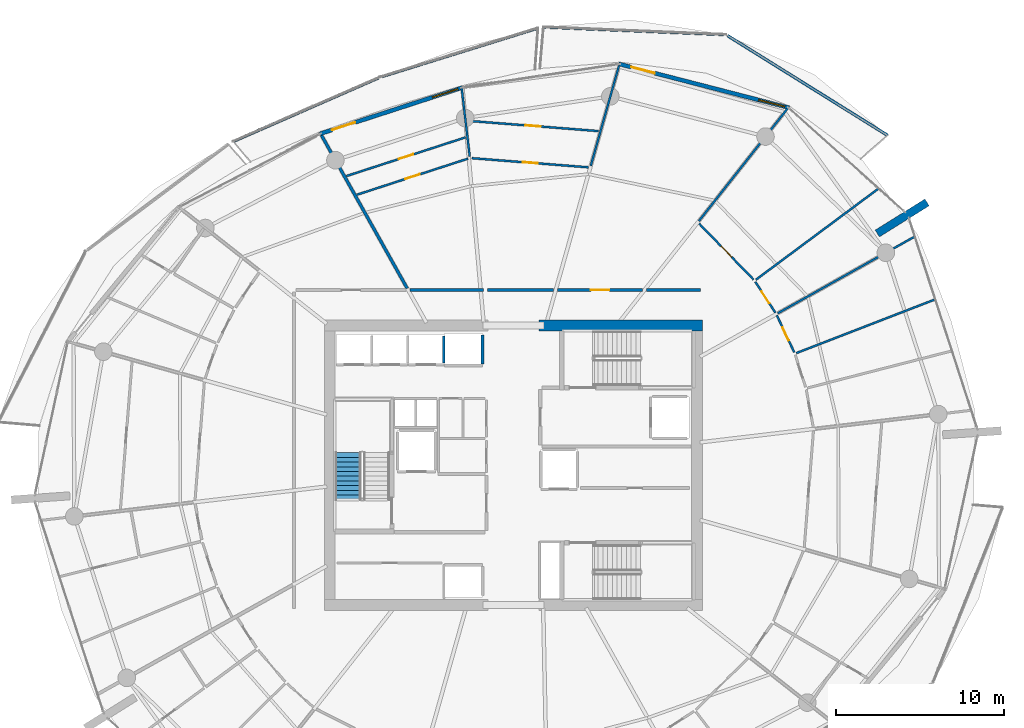
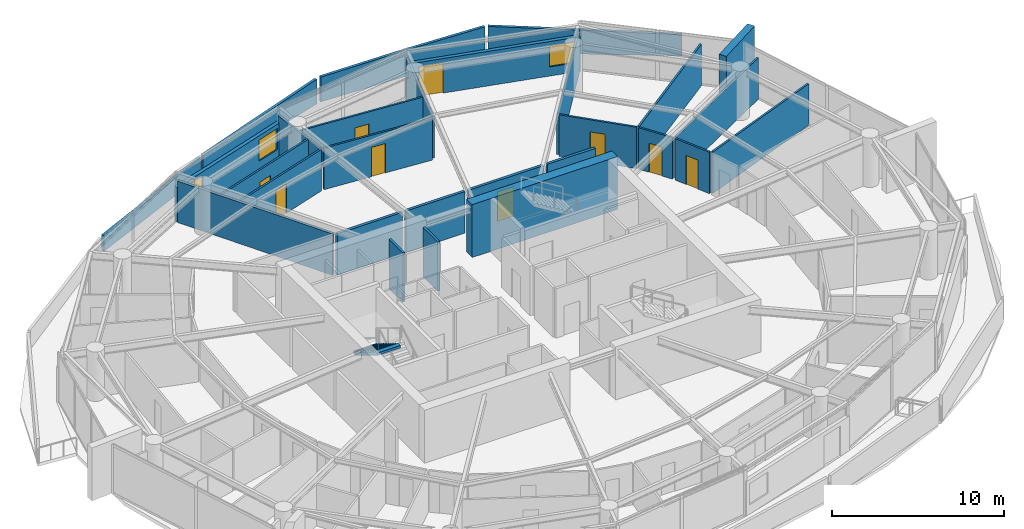
# One storey, part 15 of 21: 28 walls, 10 doors, 2 windows, 1 stair flight, 12 openings, 1 element without a shape of its own.
"""IFC4 building model written with IfcOpenShell, lengths in metres."""

from ifc_helpers import new_model, si_unit, direction, frame, frame_2d, origin, place, context, subcontext, project, spatial, polyline, rectangle, outline, extrude, material, layer, layer_set, type_object, element, fill, aggregate, save


model = new_model("IFC4")

# Units and contexts
model_context = context("Model", 3, precision=1e-05, world=origin(), true_north=direction((0.0, 1.0)))
body_context = subcontext(model_context, "Body", "Model", "MODEL_VIEW")
ifc_project = project(units=[si_unit("LENGTHUNIT", "METRE"), si_unit("AREAUNIT", "SQUARE_METRE"), si_unit("VOLUMEUNIT", "CUBIC_METRE"), si_unit("PLANEANGLEUNIT", "RADIAN"), si_unit("MASSUNIT", "GRAM", prefix="KILO")], contexts=[model_context])

# Site, building, storey
site_placement = place(None, origin())
site = spatial("IfcSite", under=ifc_project, at=site_placement, CompositionType="ELEMENT")
building_placement = place(site_placement, origin())
building = spatial("IfcBuilding", under=site, at=building_placement, Name="Kazma Halo Residences", CompositionType="ELEMENT")
storey_placement = place(building_placement, frame((0.0, 0.0, 191.550048828125)))
storey = spatial("IfcBuildingStorey", under=building, at=storey_placement, Name="L48", CompositionType="ELEMENT", Elevation=191.550048828125)

# Walls
ifc_material_1 = material(Name="White Concrete C50/60 Balustrade", Category="concrete")
ifc_layer_1 = layer(ifc_material_1, 0.179931640625)
ifc_layer_set_1 = layer_set([ifc_layer_1], Name="White Concrete C50/60 Balustrade")
wall_type_1 = type_object("IfcWallType", Name="WL-BAL-WAVE-180", PredefinedType="PARAPET", material=ifc_layer_set_1)
wall_1_placement = place(storey_placement, frame((70.740234375, 61.66357421875, 0.0), z_axis=(0.0, 0.0, 1.0), x_axis=(-0.84875531388, 0.528785795158, 0.0)))
element("IfcWall", 1, at=wall_1_placement, inside=storey, type_object=wall_type_1, Name="L48 white wave balustrade wall NE.1", PredefinedType="PARAPET", context=body_context, shape_type="SweptSolid", body=[
    extrude(outline(polyline([(0.0, 0.0), (11.2568359375, 0.0), (11.256591796875, 1.83203125), (5.62841796875, 1.696044921875), (0.0, 1.4970703125), (0.0, 0.0)])), frame((0.0, 0.08984375, 0.0), z_axis=(0.0, -1.0, 0.0), x_axis=(1.0, 0.0, 0.0)), (0.0, 0.0, 1.0), 0.179931640625),
])
wall_2_placement = place(storey_placement, frame((60.96435546875, 67.684326171875, 0.0), z_axis=(0.0, 0.0, 1.0), x_axis=(-0.999138885182, 0.041490819675, 0.0)))
element("IfcWall", 2, at=wall_2_placement, inside=storey, type_object=wall_type_1, Name="L48 white wave balustrade wall NE.2", PredefinedType="PARAPET", context=body_context, shape_type="SweptSolid", body=[
    extrude(outline(polyline([(0.0, 0.0), (10.75634765625, 0.0), (10.756591796875, 1.755859375), (5.37841796875, 1.85302734375), (0.0, 1.83203125), (0.0, 0.0)])), frame((0.0, 0.08984375, 0.0), z_axis=(0.0, -1.0, 0.0), x_axis=(1.0, 0.0, 0.0)), (0.0, 0.0, 1.0), 0.179931640625),
])
wall_3_placement = place(storey_placement, frame((49.8916015625, 68.071044921875, 0.0), z_axis=(0.0, 0.0, 1.0), x_axis=(-0.954909554677, -0.296896854793, 0.0)))
element("IfcWall", 3, at=wall_3_placement, inside=storey, type_object=wall_type_1, Name="L48 white wave balustrade wall NNW.1", PredefinedType="PARAPET", context=body_context, shape_type="SweptSolid", body=[
    extrude(outline(polyline([(0.0, 0.0), (9.736083984375, 0.0), (9.736328125, 1.347900390625), (4.8681640625, 1.56201171875), (0.0, 1.7470703125), (0.0, 0.0)])), frame((0.0, 0.08984375, 0.0), z_axis=(0.0, -1.0, 0.0), x_axis=(1.0, 0.0, 0.0)), (0.0, 0.0, 1.0), 0.179931640625),
])
wall_4_placement = place(storey_placement, frame((40.369873046875, 65.0966796875, 0.0), z_axis=(0.0, 0.0, 1.0), x_axis=(-0.916057097562, -0.401047869968, 0.0)))
element("IfcWall", 4, at=wall_4_placement, inside=storey, type_object=wall_type_1, Name="L48 white wave balustrade wall NNW.2", PredefinedType="PARAPET", context=body_context, shape_type="SweptSolid", body=[
    extrude(outline(polyline([(0.0, 0.0), (9.44970703125, 0.0), (9.44970703125, 1.119873046875), (4.724853515625, 1.181884765625), (0.0, 1.347900390625), (0.0, 0.0)])), frame((0.0, 0.08984375, 0.0), z_axis=(0.0, -1.0, 0.0), x_axis=(1.0, 0.0, 0.0)), (0.0, 0.0, 1.0), 0.179931640625),
])
ifc_material_2 = material(Name="Pale Concrete C60/75", Category="concrete")
ifc_layer_2 = layer(ifc_material_2, 0.47998046875)
ifc_layer_set_2 = layer_set([ifc_layer_2], Name="Pale Concrete C60/75")
wall_type_2 = type_object("IfcWallType", Name="WL-BLADE-480", PredefinedType="SOLIDWALL", material=ifc_layer_set_2)
wall_5_placement = place(storey_placement, frame((70.11376953125, 55.818115234375, 0.0), z_axis=(0.0, 0.0, 1.0), x_axis=(0.848033572426, 0.529942506352, 0.0)))
element("IfcWall", 5, at=wall_5_placement, inside=storey, type_object=wall_type_2, Name="L48 pale concrete structural blade fin wall BW-01", PredefinedType="SOLIDWALL", context=body_context, shape_type="SweptSolid", body=[
    extrude(rectangle(XDim=3.5, YDim=0.47998046875, at=frame_2d((1.75, 0.0))), origin(), (0.0, 0.0, 1.0), 3.75),
])
ifc_material_3 = material(Name="Concrete C60/75", Category="concrete")
ifc_layer_3 = layer(ifc_material_3, 0.64990234375)
ifc_layer_set_3 = layer_set([ifc_layer_3], Name="Concrete C60/75")
wall_type_3 = type_object("IfcWallType", Name="WL-CORE-650", PredefinedType="SHEAR", material=ifc_layer_set_3)
wall_6_placement = place(storey_placement, frame((49.949951171875, 50.324951171875, 0.0), z_axis=(0.0, 0.0, 1.0), x_axis=(1.0, 0.0, 0.0)))
element("IfcWall", 6, at=wall_6_placement, inside=storey, type_object=wall_type_3, Name="L48 central core shear wall NE", PredefinedType="SHEAR", context=body_context, shape_type="SweptSolid", body=[
    extrude(rectangle(XDim=9.75, YDim=0.64990234375, at=frame_2d((4.875, 0.0))), origin(), (0.0, 0.0, 1.0), 3.75),
])
ifc_material_4 = material(Name="Acoustic Twin-Stud Gypsum")
ifc_layer_4 = layer(ifc_material_4, 0.179931640625)
ifc_layer_set_4 = layer_set([ifc_layer_4], Name="Acoustic Twin-Stud Gypsum")
wall_type_4 = type_object("IfcWallType", Name="WL-DEM-180", PredefinedType="PARTITIONING", material=ifc_layer_set_4)
wall_7_placement = place(storey_placement, frame((42.093994140625, 52.5458984375, 0.0), z_axis=(0.0, 0.0, 1.0), x_axis=(-0.488614041717, 0.872500039104, 0.0)))
element("IfcWall", 7, at=wall_7_placement, inside=storey, type_object=wall_type_4, Name="L48 apartment demising radial wall 04", PredefinedType="PARTITIONING", context=body_context, shape_type="SweptSolid", body=[
    extrude(rectangle(XDim=10.448486328125, YDim=0.179931640625, at=frame_2d((5.22412109375, 0.0))), origin(), (0.0, 0.0, 1.0), 2.93994140625),
])

# Wall, opening, door
wall_8_placement = place(storey_placement, frame((56.1181640625, 52.449951171875, 0.0), z_axis=(0.0, 0.0, 1.0), x_axis=(-1.0, 0.0, 0.0)))
wall_8 = element("IfcWall", 8, at=wall_8_placement, inside=storey, type_object=wall_type_4, Name="L48 Apartment 2 entrance corridor wall", PredefinedType="PARTITIONING", context=body_context, shape_type="SweptSolid", body=[
    extrude(rectangle(XDim=5.051025390625, YDim=0.179931640625, at=frame_2d((2.525390625, 0.0))), origin(), (0.0, 0.0, 1.0), 2.93994140625),
])
opening_1_placement = place(wall_8_placement, frame((1.975341796875, 0.0, 0.0)))
opening_1 = element("IfcOpeningElement", 9, at=opening_1_placement, cuts=wall_8, Name="Opening DA-1100", PredefinedType="OPENING", context=body_context, shape_type="SweptSolid", body=[
    extrude(rectangle(XDim=1.10009765625, YDim=2.10009765625, at=frame_2d((0.550048828125, 1.050048828125))), frame((0.0, 0.099853515625, 0.0), z_axis=(0.0, -1.0, 0.0), x_axis=(1.0, 0.0, 0.0)), (0.0, 0.0, 1.0), 0.199951171875),
])
ifc_material_5 = material(Name="Acoustic Walnut Fire Leaf")
door_type_1 = type_object("IfcDoorType", Name="DR-FD60-1100", OperationType="NOTDEFINED", PredefinedType="DOOR", material=ifc_material_5)
door_1_placement = place(opening_1_placement, origin())
door_1 = element("IfcDoor", 10, at=door_1_placement, inside=storey, type_object=door_type_1, Name="L48 Apartment 2 entrance fire door", OperationType="SINGLE_SWING_LEFT", OverallHeight=2.10009765625, OverallWidth=1.10009765625, PredefinedType="DOOR", context=body_context, shape_type="SweptSolid", body=[
    extrude(rectangle(XDim=1.10009765625, YDim=2.10009765625, at=frame_2d((0.550048828125, 1.050048828125))), frame((0.0, 0.02490234375, 0.0), z_axis=(0.0, -1.0, 0.0), x_axis=(1.0, 0.0, 0.0)), (0.0, 0.0, 1.0), 0.050048828125),
])
fill(opening_1, door_1)

# Walls
wall_9_placement = place(storey_placement, frame((59.580078125, 52.449951171875, 0.0), z_axis=(0.0, 0.0, 1.0), x_axis=(-1.0, 0.0, 0.0)))
element("IfcWall", 11, at=wall_9_placement, inside=storey, type_object=wall_type_4, Name="L48 Apartment 2 inner wall 0", PredefinedType="PARTITIONING", context=body_context, shape_type="SweptSolid", body=[
    extrude(rectangle(XDim=3.221923828125, YDim=0.179931640625, at=frame_2d((1.61083984375, 0.0))), origin(), (0.0, 0.0, 1.0), 2.93994140625),
])
wall_10_placement = place(storey_placement, frame((50.8271484375, 52.449951171875, 0.0), z_axis=(0.0, 0.0, 1.0), x_axis=(-1.0, 0.0, 0.0)))
element("IfcWall", 12, at=wall_10_placement, inside=storey, type_object=wall_type_4, Name="L48 Apartment 2 inner wall 2", PredefinedType="PARTITIONING", context=body_context, shape_type="SweptSolid", body=[
    extrude(rectangle(XDim=3.94384765625, YDim=0.179931640625, at=frame_2d((1.971923828125, 0.0))), origin(), (0.0, 0.0, 1.0), 2.93994140625),
])
wall_11_placement = place(storey_placement, frame((46.643310546875, 52.449951171875, 0.0), z_axis=(0.0, 0.0, 1.0), x_axis=(-1.0, 0.0, 0.0)))
element("IfcWall", 13, at=wall_11_placement, inside=storey, type_object=wall_type_4, Name="L48 Apartment 2 inner wall 3", PredefinedType="PARTITIONING", context=body_context, shape_type="SweptSolid", body=[
    extrude(rectangle(XDim=4.375732421875, YDim=0.179931640625, at=frame_2d((2.18798828125, 0.0))), origin(), (0.0, 0.0, 1.0), 2.93994140625),
])

# Wall, openings, door, window
ifc_material_6 = material(Name="Insulated Pale-Metal Composite Wall")
ifc_layer_5 = layer(ifc_material_6, 0.239990234375)
ifc_layer_set_5 = layer_set([ifc_layer_5], Name="Insulated Pale-Metal Composite Wall")
wall_type_5 = type_object("IfcWallType", Name="WL-EXT-HOST-240", PredefinedType="SOLIDWALL", material=ifc_layer_set_5)
wall_12_placement = place(storey_placement, frame((64.860107421875, 63.31298828125, 0.0), z_axis=(0.0, 0.0, 1.0), x_axis=(-0.968374028006, 0.249502989727, 0.0)))
wall_12 = element("IfcWall", 14, at=wall_12_placement, inside=storey, type_object=wall_type_5, Name="L48 exterior terrace-access wall B02", PredefinedType="SOLIDWALL", context=body_context, shape_type="SweptSolid", body=[
    extrude(rectangle(XDim=10.494384765625, YDim=0.239990234375, at=frame_2d((5.2470703125, 0.0))), origin(), (0.0, 0.0, 1.0), 2.449951171875),
])
opening_2_placement = place(wall_12_placement, frame((8.2744140625, 0.0, 0.0)))
opening_2 = element("IfcOpeningElement", 15, at=opening_2_placement, cuts=wall_12, Name="Opening DTR-1600", PredefinedType="OPENING", context=body_context, shape_type="SweptSolid", body=[
    extrude(rectangle(XDim=1.449951171875, YDim=2.14990234375, at=frame_2d((0.72509765625, 1.074951171875))), frame((0.0, 0.1298828125, 0.0), z_axis=(0.0, -1.0, 0.0), x_axis=(1.0, 0.0, 0.0)), (0.0, 0.0, 1.0), 0.260009765625),
])
opening_3_placement = place(wall_12_placement, frame((0.280029296875, 0.0, 0.64990234375)))
opening_3 = element("IfcOpeningElement", 16, at=opening_3_placement, cuts=wall_12, Name="Opening W-1800", PredefinedType="OPENING", context=body_context, shape_type="SweptSolid", body=[
    extrude(rectangle(XDim=1.60009765625, YDim=1.5, at=frame_2d((0.800048828125, 0.75))), frame((0.0, 0.1298828125, 0.0), z_axis=(0.0, -1.0, 0.0), x_axis=(1.0, 0.0, 0.0)), (0.0, 0.0, 1.0), 0.260009765625),
])
ifc_material_7 = material(Name="Aluminium AW-6063 T6 Double-Glazed Terrace Door", Category="aluminium")
door_type_2 = type_object("IfcDoorType", Name="DR-EXT-TERR-1600", OperationType="NOTDEFINED", PredefinedType="DOOR", material=ifc_material_7)
door_2_placement = place(opening_2_placement, origin())
door_2 = element("IfcDoor", 17, at=door_2_placement, inside=storey, type_object=door_type_2, Name="L48 B02 balcony terrace door", OperationType="DOUBLE_DOOR_SLIDING", OverallHeight=2.14990234375, OverallWidth=1.449951171875, PredefinedType="DOOR", context=body_context, shape_type="SweptSolid", body=[
    extrude(rectangle(XDim=1.449951171875, YDim=2.14990234375, at=frame_2d((0.72509765625, 1.074951171875))), frame((0.0, 0.02490234375, 0.0), z_axis=(0.0, -1.0, 0.0), x_axis=(1.0, 0.0, 0.0)), (0.0, 0.0, 1.0), 0.050048828125),
])
fill(opening_2, door_2)
ifc_material_8 = material(Name="Clear Triple-Silver Low-E Glass in Aluminium AW-6063 T6 Frame", Category="aluminium")
window_type = type_object("IfcWindowType", Name="WIN-RES-1800", PartitioningType="DOUBLE_PANEL_VERTICAL", PredefinedType="WINDOW", material=ifc_material_8)
window_1_placement = place(opening_3_placement, origin())
window_1 = element("IfcWindow", 18, at=window_1_placement, inside=storey, type_object=window_type, Name="L48 B02 apartment window", OverallHeight=1.5, OverallWidth=1.60009765625, PartitioningType="SINGLE_PANEL", PredefinedType="WINDOW", context=body_context, shape_type="SweptSolid", body=[
    extrude(rectangle(XDim=1.60009765625, YDim=1.5, at=frame_2d((0.800048828125, 0.75))), frame((0.0, 0.030029296875, 0.0), z_axis=(0.0, -1.0, 0.0), x_axis=(1.0, 0.0, 0.0)), (0.0, 0.0, 1.0), 0.06005859375),
])
fill(opening_3, window_1)

wall_13_placement = place(storey_placement, frame((45.38427734375, 64.518798828125, 0.0), z_axis=(0.0, 0.0, 1.0), x_axis=(-0.951058543936, -0.309010753869, 0.0)))
wall_13 = element("IfcWall", 19, at=wall_13_placement, inside=storey, type_object=wall_type_5, Name="L48 exterior terrace-access wall B04", PredefinedType="SOLIDWALL", context=body_context, shape_type="SweptSolid", body=[
    extrude(rectangle(XDim=8.942138671875, YDim=0.239990234375, at=frame_2d((4.47119140625, 0.0))), origin(), (0.0, 0.0, 1.0), 2.449951171875),
])
opening_4_placement = place(wall_13_placement, frame((6.721923828125, 0.0, 0.0)))
opening_4 = element("IfcOpeningElement", 20, at=opening_4_placement, cuts=wall_13, Name="Opening DTR-1600", PredefinedType="OPENING", context=body_context, shape_type="SweptSolid", body=[
    extrude(rectangle(XDim=1.449951171875, YDim=2.14990234375, at=frame_2d((0.72509765625, 1.074951171875))), frame((0.0, 0.1298828125, 0.0), z_axis=(0.0, -1.0, 0.0), x_axis=(1.0, 0.0, 0.0)), (0.0, 0.0, 1.0), 0.260009765625),
])
opening_5_placement = place(wall_13_placement, frame((0.280029296875, 0.0, 0.64990234375)))
opening_5 = element("IfcOpeningElement", 21, at=opening_5_placement, cuts=wall_13, Name="Opening W-1800", PredefinedType="OPENING", context=body_context, shape_type="SweptSolid", body=[
    extrude(rectangle(XDim=1.60009765625, YDim=1.5, at=frame_2d((0.800048828125, 0.75))), frame((0.0, 0.1298828125, 0.0), z_axis=(0.0, -1.0, 0.0), x_axis=(1.0, 0.0, 0.0)), (0.0, 0.0, 1.0), 0.260009765625),
])
door_3_placement = place(opening_4_placement, origin())
door_3 = element("IfcDoor", 22, at=door_3_placement, inside=storey, type_object=door_type_2, Name="L48 B04 balcony terrace door", OperationType="DOUBLE_DOOR_SLIDING", OverallHeight=2.14990234375, OverallWidth=1.449951171875, PredefinedType="DOOR", context=body_context, shape_type="SweptSolid", body=[
    extrude(rectangle(XDim=1.449951171875, YDim=2.14990234375, at=frame_2d((0.72509765625, 1.074951171875))), frame((0.0, 0.02490234375, 0.0), z_axis=(0.0, -1.0, 0.0), x_axis=(1.0, 0.0, 0.0)), (0.0, 0.0, 1.0), 0.050048828125),
])
fill(opening_4, door_3)
window_2_placement = place(opening_5_placement, origin())
window_2 = element("IfcWindow", 23, at=window_2_placement, inside=storey, type_object=window_type, Name="L48 B04 apartment window", OverallHeight=1.5, OverallWidth=1.60009765625, PartitioningType="SINGLE_PANEL", PredefinedType="WINDOW", context=body_context, shape_type="SweptSolid", body=[
    extrude(rectangle(XDim=1.60009765625, YDim=1.5, at=frame_2d((0.800048828125, 0.75))), frame((0.0, 0.030029296875, 0.0), z_axis=(0.0, -1.0, 0.0), x_axis=(1.0, 0.0, 0.0)), (0.0, 0.0, 1.0), 0.06005859375),
])
fill(opening_5, window_2)

# Walls
ifc_material_9 = material(Name="Fire-Rated Blockwork Masonry", Category="masonry")
ifc_layer_6 = layer(ifc_material_9, 0.199951171875)
ifc_layer_set_6 = layer_set([ifc_layer_6], Name="Fire-Rated Blockwork Masonry")
wall_type_6 = type_object("IfcWallType", Name="WL-FLB-200", PredefinedType="PARTITIONING", material=ifc_layer_set_6)
wall_14_placement = place(storey_placement, frame((44.27490234375, 48.094970703125, 0.0), z_axis=(0.0, 0.0, 1.0), x_axis=(0.0, 1.0, 0.0)))
element("IfcWall", 24, at=wall_14_placement, inside=storey, type_object=wall_type_6, Name="L48 lift shaft PM-03 side wall E", PredefinedType="PARTITIONING", context=body_context, shape_type="SweptSolid", body=[
    extrude(rectangle(XDim=1.610107421875, YDim=0.159912109375, at=frame_2d((0.80517578125, 0.0))), origin(), (0.0, 0.0, 1.0), 3.5),
])
wall_15_placement = place(storey_placement, frame((46.580078125, 48.044921875, 0.0), z_axis=(0.0, 0.0, 1.0), x_axis=(0.0, 1.0, 0.0)))
element("IfcWall", 25, at=wall_15_placement, inside=storey, type_object=wall_type_6, Name="L48 lift shaft PX-01 side wall E", PredefinedType="PARTITIONING", context=body_context, shape_type="SweptSolid", body=[
    extrude(rectangle(XDim=1.7099609375, YDim=0.159912109375, at=frame_2d((0.85498046875, 0.0))), origin(), (0.0, 0.0, 1.0), 3.5),
])
ifc_material_10 = material(Name="Gypsum Plasterboard Partition")
ifc_layer_7 = layer(ifc_material_10, 0.125)
ifc_layer_set_7 = layer_set([ifc_layer_7], Name="Gypsum Plasterboard Partition")
wall_type_7 = type_object("IfcWallType", Name="WL-PART-125", PredefinedType="PARTITIONING", material=ifc_layer_set_7)
wall_16_placement = place(storey_placement, frame((65.288330078125, 48.6884765625, 0.0), z_axis=(0.0, 0.0, 1.0), x_axis=(0.932645255022, 0.360794717652, 0.0)))
element("IfcWall", 26, at=wall_16_placement, inside=storey, type_object=wall_type_7, Name="L48 Apartment 2 bay wall 2 15", PredefinedType="PARTITIONING", context=body_context, shape_type="SweptSolid", body=[
    extrude(rectangle(XDim=8.863037109375, YDim=0.125, at=frame_2d((4.431640625, 0.0))), origin(), (0.0, 0.0, 1.0), 2.93994140625),
])

# Wall, opening, door
wall_17_placement = place(storey_placement, frame((65.17041015625, 48.728271484375, 0.0), z_axis=(0.0, 0.0, 1.0), x_axis=(-0.42584510915, 0.904796078138, 0.0)))
wall_17 = element("IfcWall", 27, at=wall_17_placement, inside=storey, type_object=wall_type_7, Name="L48 Apartment 2 Outer Bedroom hall wall", PredefinedType="PARTITIONING", context=body_context, shape_type="SweptSolid", body=[
    extrude(rectangle(XDim=2.44580078125, YDim=0.125, at=frame_2d((1.222900390625, 0.0))), origin(), (0.0, 0.0, 1.0), 2.93994140625),
])
opening_6_placement = place(wall_17_placement, frame((0.7978515625, 0.0, 0.0)))
opening_6 = element("IfcOpeningElement", 28, at=opening_6_placement, cuts=wall_17, Name="Opening DB-900", PredefinedType="OPENING", context=body_context, shape_type="SweptSolid", body=[
    extrude(rectangle(XDim=0.85009765625, YDim=2.06005859375, at=frame_2d((0.425048828125, 1.030029296875))), frame((0.0, 0.072509765625, 0.0), z_axis=(0.0, -1.0, 0.0), x_axis=(1.0, 0.0, 0.0)), (0.0, 0.0, 1.0), 0.14501953125),
])
ifc_material_11 = material(Name="Moisture-Sealed Timber Leaf", Category="wood")
door_type_3 = type_object("IfcDoorType", Name="DR-BTH-900", OperationType="NOTDEFINED", PredefinedType="DOOR", material=ifc_material_11)
door_4_placement = place(opening_6_placement, origin())
door_4 = element("IfcDoor", 29, at=door_4_placement, inside=storey, type_object=door_type_3, Name="L48 Apartment 2 Outer Bedroom door", OperationType="SINGLE_SWING_LEFT", OverallHeight=2.06005859375, OverallWidth=0.85009765625, PredefinedType="DOOR", context=body_context, shape_type="SweptSolid", body=[
    extrude(rectangle(XDim=0.85009765625, YDim=2.06005859375, at=frame_2d((0.425048828125, 1.030029296875))), frame((0.0, 0.02490234375, 0.0), z_axis=(0.0, -1.0, 0.0), x_axis=(1.0, 0.0, 0.0)), (0.0, 0.0, 1.0), 0.050048828125),
])
fill(opening_6, door_4)

# Walls
wall_18_placement = place(storey_placement, frame((64.18212890625, 51.0625, 0.0), z_axis=(0.0, 0.0, 1.0), x_axis=(0.872500226359, 0.488613707344, 0.0)))
element("IfcWall", 30, at=wall_18_placement, inside=storey, type_object=wall_type_7, Name="L48 Apartment 2 radial partition 0", PredefinedType="PARTITIONING", context=body_context, shape_type="SweptSolid", body=[
    extrude(rectangle(XDim=9.34814453125, YDim=0.125, at=frame_2d((4.674072265625, 0.0))), origin(), (0.0, 0.0, 1.0), 2.93994140625),
])
wall_19_placement = place(storey_placement, frame((59.482421875, 56.565185546875, 0.0), z_axis=(0.0, 0.0, 1.0), x_axis=(0.619076951814, 0.785330330328, 0.0)))
element("IfcWall", 31, at=wall_19_placement, inside=storey, type_object=wall_type_7, Name="L48 Apartment 2 living radial partition 0", PredefinedType="PARTITIONING", context=body_context, shape_type="SweptSolid", body=[
    extrude(rectangle(XDim=8.583251953125, YDim=0.125, at=frame_2d((4.29150390625, 0.0))), origin(), (0.0, 0.0, 1.0), 2.93994140625),
])
wall_20_placement = place(storey_placement, frame((62.8759765625, 53.06005859375, 0.0), z_axis=(0.0, 0.0, 1.0), x_axis=(0.802513116708, 0.596634475631, 0.0)))
element("IfcWall", 32, at=wall_20_placement, inside=storey, type_object=wall_type_7, Name="L48 Apartment 2 mid-bay wall 0", PredefinedType="PARTITIONING", context=body_context, shape_type="SweptSolid", body=[
    extrude(rectangle(XDim=9.0908203125, YDim=0.125, at=frame_2d((4.54541015625, 0.0))), origin(), (0.0, 0.0, 1.0), 2.93994140625),
])

# Wall, opening, door
wall_21_placement = place(storey_placement, frame((64.04052734375, 51.097412109375, 0.0), z_axis=(0.0, 0.0, 1.0), x_axis=(-0.543689429225, 0.839286485384, 0.0)))
wall_21 = element("IfcWall", 33, at=wall_21_placement, inside=storey, type_object=wall_type_7, Name="L48 Apartment 2 Corner Wine Pantry Store hall wall", PredefinedType="PARTITIONING", context=body_context, shape_type="SweptSolid", body=[
    extrude(rectangle(XDim=2.194580078125, YDim=0.125, at=frame_2d((1.09716796875, 0.0))), origin(), (0.0, 0.0, 1.0), 2.93994140625),
])
opening_7_placement = place(wall_21_placement, frame((0.672119140625, 0.0, 0.0)))
opening_7 = element("IfcOpeningElement", 34, at=opening_7_placement, cuts=wall_21, Name="Opening DB-900", PredefinedType="OPENING", context=body_context, shape_type="SweptSolid", body=[
    extrude(rectangle(XDim=0.85009765625, YDim=2.06005859375, at=frame_2d((0.425048828125, 1.030029296875))), frame((0.0, 0.072509765625, 0.0), z_axis=(0.0, -1.0, 0.0), x_axis=(1.0, 0.0, 0.0)), (0.0, 0.0, 1.0), 0.14501953125),
])
door_5_placement = place(opening_7_placement, origin())
door_5 = element("IfcDoor", 35, at=door_5_placement, inside=storey, type_object=door_type_3, Name="L48 Apartment 2 Corner Wine Pantry Store door", OperationType="SINGLE_SWING_LEFT", OverallHeight=2.06005859375, OverallWidth=0.85009765625, PredefinedType="DOOR", context=body_context, shape_type="SweptSolid", body=[
    extrude(rectangle(XDim=0.85009765625, YDim=2.06005859375, at=frame_2d((0.425048828125, 1.030029296875))), frame((0.0, 0.02490234375, 0.0), z_axis=(0.0, -1.0, 0.0), x_axis=(1.0, 0.0, 0.0)), (0.0, 0.0, 1.0), 0.050048828125),
])
fill(opening_7, door_5)

wall_22_placement = place(storey_placement, frame((62.748046875, 53.063720703125, 0.0), z_axis=(0.0, 0.0, 1.0), x_axis=(-0.697059745536, 0.717013048106, 0.0)))
wall_22 = element("IfcWall", 36, at=wall_22_placement, inside=storey, type_object=wall_type_7, Name="L48 Apartment 2 Garden Formal Dining Room hall wall", PredefinedType="PARTITIONING", context=body_context, shape_type="SweptSolid", body=[
    extrude(rectangle(XDim=4.674072265625, YDim=0.125, at=frame_2d((2.3369140625, 0.0))), origin(), (0.0, 0.0, 1.0), 2.93994140625),
])
opening_8_placement = place(wall_22_placement, frame((1.886962890625, 0.0, 0.0)))
opening_8 = element("IfcOpeningElement", 37, at=opening_8_placement, cuts=wall_22, Name="Opening DI-950", PredefinedType="OPENING", context=body_context, shape_type="SweptSolid", body=[
    extrude(rectangle(XDim=0.89990234375, YDim=2.080078125, at=frame_2d((0.449951171875, 1.0400390625))), frame((0.0, 0.072509765625, 0.0), z_axis=(0.0, -1.0, 0.0), x_axis=(1.0, 0.0, 0.0)), (0.0, 0.0, 1.0), 0.14501953125),
])
ifc_material_12 = material(Name="Timber Veneer Flush Leaf", Category="wood")
door_type_4 = type_object("IfcDoorType", Name="DR-INT-950", OperationType="NOTDEFINED", PredefinedType="DOOR", material=ifc_material_12)
door_6_placement = place(opening_8_placement, origin())
door_6 = element("IfcDoor", 38, at=door_6_placement, inside=storey, type_object=door_type_4, Name="L48 Apartment 2 Garden Formal Dining Room door", OperationType="SINGLE_SWING_RIGHT", OverallHeight=2.080078125, OverallWidth=0.89990234375, PredefinedType="DOOR", context=body_context, shape_type="SweptSolid", body=[
    extrude(rectangle(XDim=0.89990234375, YDim=2.080078125, at=frame_2d((0.449951171875, 1.0400390625))), frame((0.0, 0.02490234375, 0.0), z_axis=(0.0, -1.0, 0.0), x_axis=(1.0, 0.0, 0.0)), (0.0, 0.0, 1.0), 0.050048828125),
])
fill(opening_8, door_6)

# Wall
wall_23_placement = place(storey_placement, frame((53.034423828125, 59.8505859375, 0.0), z_axis=(0.0, 0.0, 1.0), x_axis=(0.271437645754, 0.96245602729, 0.0)))
element("IfcWall", 39, at=wall_23_placement, inside=storey, type_object=wall_type_7, Name="L48 Apartment 2 radial partition 2", PredefinedType="PARTITIONING", context=body_context, shape_type="SweptSolid", body=[
    extrude(rectangle(XDim=6.179931640625, YDim=0.125, at=frame_2d((3.08984375, 0.0))), origin(), (0.0, 0.0, 1.0), 2.93994140625),
])

# Wall, opening, door
wall_24_placement = place(storey_placement, frame((52.897705078125, 59.762939453125, 0.0), z_axis=(0.0, 0.0, 1.0), x_axis=(-0.996915822173, 0.078478299552, 0.0)))
wall_24 = element("IfcWall", 40, at=wall_24_placement, inside=storey, type_object=wall_type_7, Name="L48 Apartment 2 Sky Study hall wall", PredefinedType="PARTITIONING", context=body_context, shape_type="SweptSolid", body=[
    extrude(rectangle(XDim=6.977783203125, YDim=0.125, at=frame_2d((3.48876953125, 0.0))), origin(), (0.0, 0.0, 1.0), 2.93994140625),
])
opening_9_placement = place(wall_24_placement, frame((3.038818359375, 0.0, 0.0)))
opening_9 = element("IfcOpeningElement", 41, at=opening_9_placement, cuts=wall_24, Name="Opening DI-950", PredefinedType="OPENING", context=body_context, shape_type="SweptSolid", body=[
    extrude(rectangle(XDim=0.89990234375, YDim=2.080078125, at=frame_2d((0.449951171875, 1.0400390625))), frame((0.0, 0.072509765625, 0.0), z_axis=(0.0, -1.0, 0.0), x_axis=(1.0, 0.0, 0.0)), (0.0, 0.0, 1.0), 0.14501953125),
])
door_7_placement = place(opening_9_placement, origin())
door_7 = element("IfcDoor", 42, at=door_7_placement, inside=storey, type_object=door_type_4, Name="L48 Apartment 2 Sky Study door", OperationType="SINGLE_SWING_LEFT", OverallHeight=2.080078125, OverallWidth=0.89990234375, PredefinedType="DOOR", context=body_context, shape_type="SweptSolid", body=[
    extrude(rectangle(XDim=0.89990234375, YDim=2.080078125, at=frame_2d((0.449951171875, 1.0400390625))), frame((0.0, 0.02490234375, 0.0), z_axis=(0.0, -1.0, 0.0), x_axis=(1.0, 0.0, 0.0)), (0.0, 0.0, 1.0), 0.050048828125),
])
fill(opening_9, door_7)

wall_25_placement = place(storey_placement, frame((53.506591796875, 61.9228515625, 0.0), z_axis=(0.0, 0.0, 1.0), x_axis=(-0.996916671393, 0.078467511105, 0.0)))
wall_25 = element("IfcWall", 43, at=wall_25_placement, inside=storey, type_object=wall_type_7, Name="L48 Apartment 2 Gulf Bedroom divider wall", PredefinedType="PARTITIONING", context=body_context, shape_type="SweptSolid", body=[
    extrude(rectangle(XDim=7.85302734375, YDim=0.125, at=frame_2d((3.926513671875, 0.0))), origin(), (0.0, 0.0, 1.0), 2.93994140625),
])
opening_10_placement = place(wall_25_placement, frame((3.4765625, 0.0, 0.0)))
opening_10 = element("IfcOpeningElement", 44, at=opening_10_placement, cuts=wall_25, Name="Opening DI-950", PredefinedType="OPENING", context=body_context, shape_type="SweptSolid", body=[
    extrude(rectangle(XDim=0.89990234375, YDim=2.080078125, at=frame_2d((0.449951171875, 1.0400390625))), frame((0.0, 0.072509765625, 0.0), z_axis=(0.0, -1.0, 0.0), x_axis=(1.0, 0.0, 0.0)), (0.0, 0.0, 1.0), 0.14501953125),
])
door_8_placement = place(opening_10_placement, origin())
door_8 = element("IfcDoor", 45, at=door_8_placement, inside=storey, type_object=door_type_4, Name="L48 Apartment 2 Gulf Bedroom door", OperationType="SINGLE_SWING_RIGHT", OverallHeight=2.080078125, OverallWidth=0.89990234375, PredefinedType="DOOR", context=body_context, shape_type="SweptSolid", body=[
    extrude(rectangle(XDim=0.89990234375, YDim=2.080078125, at=frame_2d((0.449951171875, 1.0400390625))), frame((0.0, 0.02490234375, 0.0), z_axis=(0.0, -1.0, 0.0), x_axis=(1.0, 0.0, 0.0)), (0.0, 0.0, 1.0), 0.050048828125),
])
fill(opening_10, door_8)

# Wall
wall_26_placement = place(storey_placement, frame((45.820068359375, 60.41845703125, 0.0), z_axis=(0.0, 0.0, 1.0), x_axis=(-0.117520306907, 0.993070479606, 0.0)))
element("IfcWall", 46, at=wall_26_placement, inside=storey, type_object=wall_type_7, Name="L48 Apartment 2 radial partition 3", PredefinedType="PARTITIONING", context=body_context, shape_type="SweptSolid", body=[
    extrude(rectangle(XDim=4.08837890625, YDim=0.125, at=frame_2d((2.044189453125, 0.0))), origin(), (0.0, 0.0, 1.0), 2.93994140625),
])

# Wall, opening, door
wall_27_placement = place(storey_placement, frame((45.727294921875, 60.28515625, 0.0), z_axis=(0.0, 0.0, 1.0), x_axis=(-0.951056178842, -0.309018032946, 0.0)))
wall_27 = element("IfcWall", 47, at=wall_27_placement, inside=storey, type_object=wall_type_7, Name="L48 Apartment 2 Primary Study hall wall", PredefinedType="PARTITIONING", context=body_context, shape_type="SweptSolid", body=[
    extrude(rectangle(XDim=6.977783203125, YDim=0.125, at=frame_2d((3.48876953125, 0.0))), origin(), (0.0, 0.0, 1.0), 2.93994140625),
])
opening_11_placement = place(wall_27_placement, frame((3.038818359375, 0.0, 0.0)))
opening_11 = element("IfcOpeningElement", 48, at=opening_11_placement, cuts=wall_27, Name="Opening DI-950", PredefinedType="OPENING", context=body_context, shape_type="SweptSolid", body=[
    extrude(rectangle(XDim=0.89990234375, YDim=2.080078125, at=frame_2d((0.449951171875, 1.0400390625))), frame((0.0, 0.072509765625, 0.0), z_axis=(0.0, -1.0, 0.0), x_axis=(1.0, 0.0, 0.0)), (0.0, 0.0, 1.0), 0.14501953125),
])
door_9_placement = place(opening_11_placement, origin())
door_9 = element("IfcDoor", 49, at=door_9_placement, inside=storey, type_object=door_type_4, Name="L48 Apartment 2 Primary Study door", OperationType="SINGLE_SWING_RIGHT", OverallHeight=2.080078125, OverallWidth=0.89990234375, PredefinedType="DOOR", context=body_context, shape_type="SweptSolid", body=[
    extrude(rectangle(XDim=0.89990234375, YDim=2.080078125, at=frame_2d((0.449951171875, 1.0400390625))), frame((0.0, 0.02490234375, 0.0), z_axis=(0.0, -1.0, 0.0), x_axis=(1.0, 0.0, 0.0)), (0.0, 0.0, 1.0), 0.050048828125),
])
fill(opening_11, door_9)

wall_28_placement = place(storey_placement, frame((45.5771484375, 61.55224609375, 0.0), z_axis=(0.0, 0.0, 1.0), x_axis=(-0.95105638647, -0.309017393935, 0.0)))
wall_28 = element("IfcWall", 50, at=wall_28_placement, inside=storey, type_object=wall_type_7, Name="L48 Apartment 2 Secondary Bedroom divider wall", PredefinedType="PARTITIONING", context=body_context, shape_type="SweptSolid", body=[
    extrude(rectangle(XDim=7.4755859375, YDim=0.125, at=frame_2d((3.73779296875, 0.0))), origin(), (0.0, 0.0, 1.0), 2.93994140625),
])
opening_12_placement = place(wall_28_placement, frame((3.287841796875, 0.0, 0.0)))
opening_12 = element("IfcOpeningElement", 51, at=opening_12_placement, cuts=wall_28, Name="Opening DI-950", PredefinedType="OPENING", context=body_context, shape_type="SweptSolid", body=[
    extrude(rectangle(XDim=0.89990234375, YDim=2.080078125, at=frame_2d((0.449951171875, 1.0400390625))), frame((0.0, 0.072509765625, 0.0), z_axis=(0.0, -1.0, 0.0), x_axis=(1.0, 0.0, 0.0)), (0.0, 0.0, 1.0), 0.14501953125),
])
door_10_placement = place(opening_12_placement, origin())
door_10 = element("IfcDoor", 52, at=door_10_placement, inside=storey, type_object=door_type_4, Name="L48 Apartment 2 Secondary Bedroom door", OperationType="SINGLE_SWING_LEFT", OverallHeight=2.080078125, OverallWidth=0.89990234375, PredefinedType="DOOR", context=body_context, shape_type="SweptSolid", body=[
    extrude(rectangle(XDim=0.89990234375, YDim=2.080078125, at=frame_2d((0.449951171875, 1.0400390625))), frame((0.0, 0.02490234375, 0.0), z_axis=(0.0, -1.0, 0.0), x_axis=(1.0, 0.0, 0.0)), (0.0, 0.0, 1.0), 0.050048828125),
])
fill(opening_12, door_10)

# Stair, stair flight
ifc_material_13 = material(Name="Concrete C50/60", Category="concrete")
stair_type = type_object("IfcStairType", Name="STR-RES1", PredefinedType="HALF_TURN_STAIR", material=ifc_material_13)
stair_placement = place(storey_placement, origin())
stair = element("IfcStair", 53, at=stair_placement, inside=storey, type_object=stair_type, Name="L48 Core exit stair ST-01", PredefinedType="HALF_TURN_STAIR")
stair_flight_type = type_object("IfcStairFlightType", Name="STR-RES1-FLT", PredefinedType="STRAIGHT", material=ifc_material_13)
stair_flight_placement = place(storey_placement, frame((38.574951171875, 42.75, 1.875), z_axis=(0.0, 0.0, 1.0), x_axis=(0.0, -1.0, 0.0)))
stair_flight = element("IfcStairFlight", 54, at=stair_flight_placement, type_object=stair_flight_type, Name="ST-01 flight 2", NumberOfRisers=11, NumberOfTreads=10, PredefinedType="STRAIGHT", RiserHeight=0.170454545, TreadLength=0.28, context=body_context, shape_type="SweptSolid", body=[
    extrude(outline(polyline([(0.0, 0.0), (0.0, 0.17041015625), (0.280029296875, 0.17041015625), (0.280029296875, 0.3408203125), (0.56005859375, 0.3408203125), (0.56005859375, 0.511474609375), (0.840087890625, 0.511474609375), (0.840087890625, 0.681884765625), (1.1201171875, 0.681884765625), (1.1201171875, 0.852294921875), (1.39990234375, 0.852294921875), (1.39990234375, 1.022705078125), (1.679931640625, 1.022705078125), (1.679931640625, 1.193115234375), (1.9599609375, 1.193115234375), (1.9599609375, 1.363525390625), (2.239990234375, 1.363525390625), (2.239990234375, 1.5341796875), (2.52001953125, 1.5341796875), (2.52001953125, 1.70458984375), (2.800048828125, 1.70458984375), (2.800048828125, 1.875), (2.800048828125, 1.529052734375), (0.288330078125, 0.0), (0.0, 0.0)])), frame((0.0, 0.77490234375, 0.0), z_axis=(0.0, -1.0, 0.0), x_axis=(1.0, 0.0, 0.0)), (0.0, 0.0, 1.0), 1.550048828125),
])
aggregate(stair, [stair_flight])

save(model, "model.ifc")
